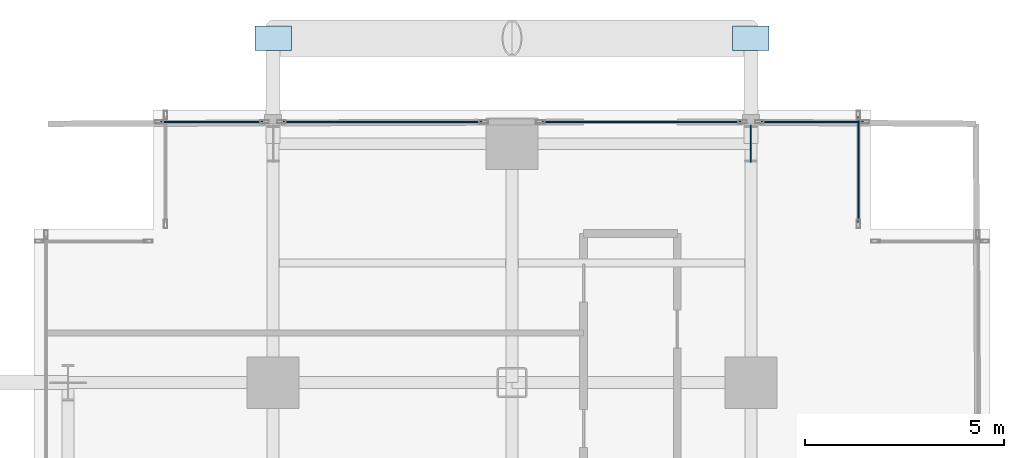
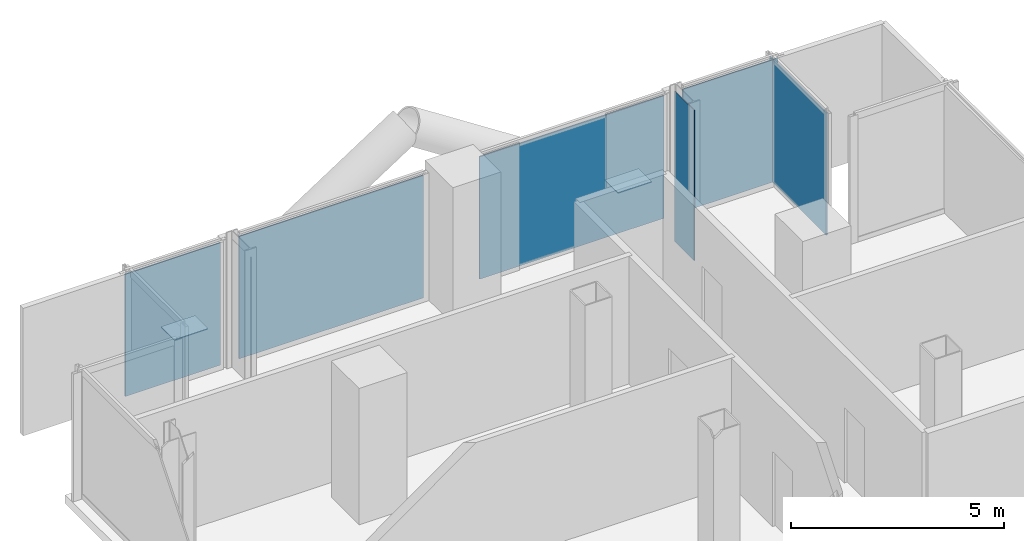
# One storey, part 18 of 25: 8 plates, 5 elements without a shape of their own.
"""IFC4 building model written with IfcOpenShell, lengths in metres."""

from ifc_helpers import new_model, si_unit, direction, frame, origin, origin_2d, place, context, subcontext, project, spatial, rectangle, extrude, material, layer, layer_set, type_object, element, aggregate, save


model = new_model("IFC4")

# Units and contexts
model_context = context("Model", 3, precision=1e-05, world=origin(), true_north=direction((0.0, 1.0)))
body_context = subcontext(model_context, "Body", "Model", "MODEL_VIEW")
ifc_project = project(units=[si_unit("LENGTHUNIT", "METRE"), si_unit("AREAUNIT", "SQUARE_METRE"), si_unit("VOLUMEUNIT", "CUBIC_METRE"), si_unit("PLANEANGLEUNIT", "RADIAN"), si_unit("MASSUNIT", "GRAM", prefix="KILO"), si_unit("THERMODYNAMICTEMPERATUREUNIT", "KELVIN"), si_unit("POWERUNIT", "WATT")], contexts=[model_context])

# Site, building, storey
site_placement = place(None, origin())
site = spatial("IfcSite", under=ifc_project, at=site_placement, CompositionType="ELEMENT")
building_placement = place(site_placement, origin())
building = spatial("IfcBuilding", under=site, at=building_placement, Name="Svarakhadi Broadcast Tower", CompositionType="ELEMENT")
storey_placement = place(building_placement, frame((0.0, 0.0, 63.60009765625)))
storey = spatial("IfcBuildingStorey", under=building, at=storey_placement, Name="L14", CompositionType="ELEMENT", Elevation=63.60009765625)

# Curtain wall, plate
ifc_material_1 = material(Name="Anodised Bronze Aluminium AA 6063-T6", Category="aluminium")
ifc_layer_1 = layer(ifc_material_1, 0.219970703125)
ifc_layer_set_1 = layer_set([ifc_layer_1], Name="Anodised Bronze Aluminium AA 6063-T6")
curtain_wall_type = type_object("IfcCurtainWallType", Name="CW_Sys_02", PredefinedType="NOTDEFINED", material=ifc_layer_set_1)
curtain_wall_1_placement = place(storey_placement, origin())
curtain_wall_1 = element("IfcCurtainWall", 1, at=curtain_wall_1_placement, inside=storey, type_object=curtain_wall_type, Name="L14 Unitised Facade Curtain Wall 06 Bay 1", PredefinedType="NOTDEFINED")
ifc_material_2 = material(Name="Double Low-E Laminated Acoustic Glass IGU 36 mm", Category="glass")
ifc_layer_2 = layer(ifc_material_2, 0.035888671875)
ifc_layer_set_2 = layer_set([ifc_layer_2], Name="Double Low-E Laminated Acoustic Glass IGU 36 mm")
plate_type_1 = type_object("IfcPlateType", Name="CW_Sys_02_Pnl", PredefinedType="CURTAIN_PANEL", material=ifc_layer_set_2)
plate_1_placement = place(storey_placement, frame((4.4599609375, 47.699951171875, 0.074951171875), z_axis=(0.0, 0.0, 1.0), x_axis=(1.0, 0.0, 0.0)))
plate_1 = element("IfcPlate", 2, at=plate_1_placement, type_object=plate_type_1, Name="CW-02 panel 1.1", PredefinedType="CURTAIN_PANEL", context=body_context, shape_type="SweptSolid", body=[
    extrude(rectangle(XDim=2.570068359375, YDim=0.035888671875, at=origin_2d()), origin(), (0.0, 0.0, 1.0), 3.5),
])
aggregate(curtain_wall_1, [plate_1])

curtain_wall_2_placement = place(storey_placement, origin())
curtain_wall_2 = element("IfcCurtainWall", 3, at=curtain_wall_2_placement, inside=storey, type_object=curtain_wall_type, Name="L14 Unitised Facade Curtain Wall 06 Bay 2", PredefinedType="NOTDEFINED")
plate_2_placement = place(storey_placement, frame((8.75, 47.699951171875, 0.074951171875), z_axis=(0.0, 0.0, 1.0), x_axis=(1.0, 0.0, 0.0)))
plate_2 = element("IfcPlate", 4, at=plate_2_placement, type_object=plate_type_1, Name="CW-02 panel 1.1", PredefinedType="CURTAIN_PANEL", context=body_context, shape_type="SweptSolid", body=[
    extrude(rectangle(XDim=4.989990234375, YDim=0.035888671875, at=origin_2d()), origin(), (0.0, 0.0, 1.0), 3.5),
])
aggregate(curtain_wall_2, [plate_2])

curtain_wall_3_placement = place(storey_placement, origin())
curtain_wall_3 = element("IfcCurtainWall", 5, at=curtain_wall_3_placement, inside=storey, type_object=curtain_wall_type, Name="L14 Unitised Facade Curtain Wall 06 Bay 3", PredefinedType="NOTDEFINED")
plate_3_placement = place(storey_placement, frame((15.25, 47.699951171875, 0.074951171875), z_axis=(0.0, 0.0, 1.0), x_axis=(1.0, 0.0, 0.0)))
plate_3 = element("IfcPlate", 6, at=plate_3_placement, type_object=plate_type_1, Name="CW-02 panel 1.1", PredefinedType="CURTAIN_PANEL", context=body_context, shape_type="SweptSolid", body=[
    extrude(rectangle(XDim=4.989990234375, YDim=0.035888671875, at=origin_2d()), origin(), (0.0, 0.0, 1.0), 3.5),
])
aggregate(curtain_wall_3, [plate_3])

curtain_wall_4_placement = place(storey_placement, origin())
curtain_wall_4 = element("IfcCurtainWall", 7, at=curtain_wall_4_placement, inside=storey, type_object=curtain_wall_type, Name="L14 Unitised Facade Curtain Wall 06 Bay 4", PredefinedType="NOTDEFINED")
plate_4_placement = place(storey_placement, frame((19.5400390625, 47.699951171875, 0.074951171875), z_axis=(0.0, 0.0, 1.0), x_axis=(1.0, 0.0, 0.0)))
plate_4 = element("IfcPlate", 8, at=plate_4_placement, type_object=plate_type_1, Name="CW-02 panel 1.1", PredefinedType="CURTAIN_PANEL", context=body_context, shape_type="SweptSolid", body=[
    extrude(rectangle(XDim=2.570068359375, YDim=0.035888671875, at=origin_2d()), origin(), (0.0, 0.0, 1.0), 3.5),
])
aggregate(curtain_wall_4, [plate_4])

curtain_wall_5_placement = place(storey_placement, origin())
curtain_wall_5 = element("IfcCurtainWall", 9, at=curtain_wall_5_placement, inside=storey, type_object=curtain_wall_type, Name="L14 Unitised Facade Curtain Wall 07", PredefinedType="NOTDEFINED")
plate_5_placement = place(storey_placement, frame((20.699951171875, 46.5, 0.074951171875), z_axis=(0.0, 0.0, 1.0), x_axis=(0.0, -1.0, 0.0)))
plate_5 = element("IfcPlate", 10, at=plate_5_placement, type_object=plate_type_1, Name="CW-02 panel 1.1", PredefinedType="CURTAIN_PANEL", context=body_context, shape_type="SweptSolid", body=[
    extrude(rectangle(XDim=2.64990234375, YDim=0.035888671875, at=origin_2d()), origin(), (0.0, 0.0, 1.0), 3.5),
])
aggregate(curtain_wall_5, [plate_5])

# Plates
ifc_material_3 = material(Name="Steel S460ML (IS 2062 E450BR)", Category="steel")
ifc_layer_3 = layer(ifc_material_3, 0.02587890625)
ifc_layer_set_3 = layer_set([ifc_layer_3], Name="Steel S460ML (IS 2062 E450BR)")
plate_type_2 = type_object("IfcPlateType", Name="Node_Gusset_N07", PredefinedType="SHEET", material=ifc_layer_set_3)
for number, where, z_axis, x_axis, name in (
    (11, (6.0, 49.800048828125, -0.25), (0.0, 0.0, 1.0), (1.0, 0.0, 0.0), "L14 Exoskeleton Gusset Node Plate N11"),
    (12, (18.0, 49.800048828125, -0.25), (0.0, 0.0, 1.0), (1.0, 0.0, 0.0), "L14 Exoskeleton Gusset Node Plate N12"),
):
    element("IfcPlate", number, at=place(storey_placement, frame(where, z_axis=z_axis, x_axis=x_axis)), inside=storey, type_object=plate_type_2, Name=name, PredefinedType="SHEET", context=body_context, shape_type="SweptSolid", body=[
        extrude(rectangle(XDim=0.919921875, YDim=0.6201171875, at=origin_2d()), origin(), (0.0, 0.0, 1.0), 0.02587890625),
    ])
plate_6_placement = place(storey_placement, frame((18.0, 47.14990234375, -0.6279296875), z_axis=(0.0, 0.0, 1.0), x_axis=(0.0, 1.0, 0.0)))
element("IfcPlate", 13, at=plate_6_placement, inside=storey, type_object=plate_type_2, Name="L14 Brace End Connection Gusset Plate N-07-E0102", PredefinedType="SHEET", context=body_context, shape_type="SweptSolid", body=[
    extrude(rectangle(XDim=0.919921875, YDim=0.02587890625, at=origin_2d()), origin(), (0.0, 0.0, 1.0), 4.300048828125),
])

save(model, "model.ifc")
